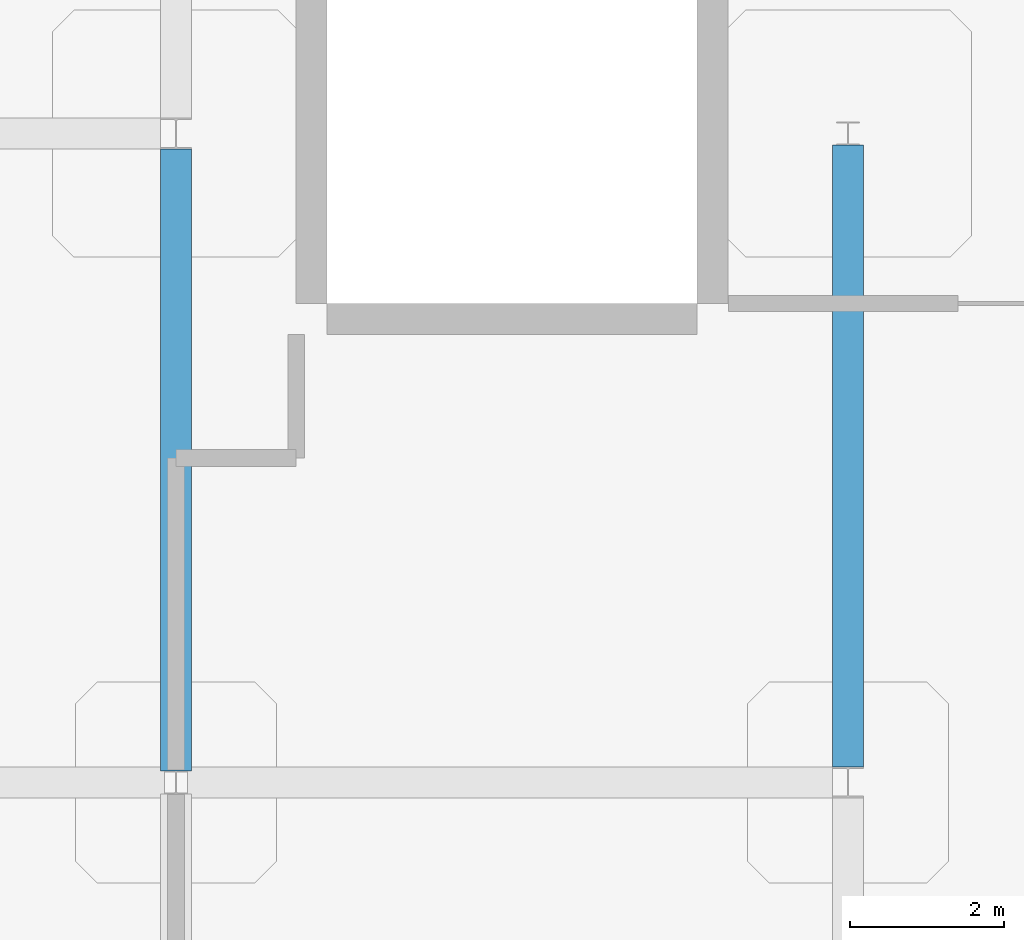
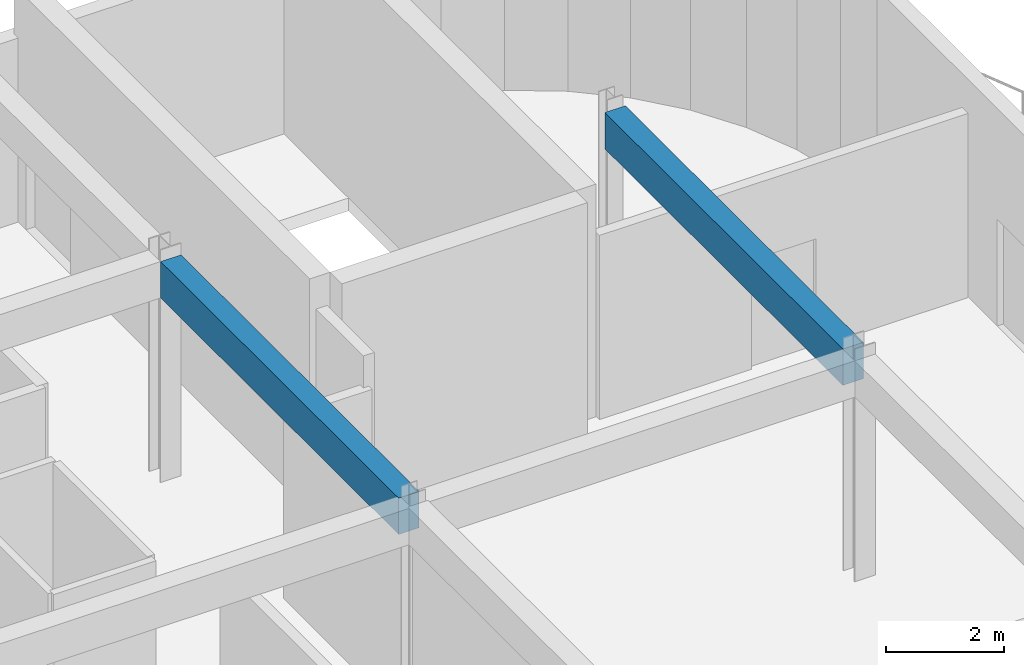
# One storey, part 29 of 41: 2 beams.
"""IFC4 building model written with IfcOpenShell, lengths in metres."""

import ifcopenshell
import ifcopenshell.guid

model = None  # the IFC model being written
_history = None  # IfcOwnerHistory: only IFC2X3 demands one
_inside = {}  # id of a spatial element -> (the spatial element, [elements in it])
_under = {}  # id of a project, library or spatial element -> (it, [spatial elements below it])
_declared = {}  # id of a project -> (the project, [libraries it declares])
_typed = {}  # id of a type object -> (the type object, [elements of that type])
_made_of = {}  # id of a material, layer set ... -> (it, [elements and type objects made of it])


def new_model(schema):
    """Start an empty IFC model of exactly this schema.

    Asked for "IFC4X3", IfcOpenShell would pick the latest addendum, in which some entities
    have other attributes; the version numbers below select the first issue.
    IFC2X3 requires an IfcOwnerHistory on every rooted entity: one is made here for all.
    """
    global model, _history
    if schema == "IFC4X3":
        model = ifcopenshell.file(schema_version=(4, 3, 0, 0))
    else:
        model = ifcopenshell.file(schema=schema)
    _inside.clear()
    _under.clear()
    _declared.clear()
    _typed.clear()
    _made_of.clear()
    _history = None
    if model.schema == "IFC2X3":
        org = make("IfcOrganization", Name="unknown")
        user = make(
            "IfcPersonAndOrganization",
            ThePerson=make("IfcPerson", FamilyName="unknown"),
            TheOrganization=org,
        )
        app = make(
            "IfcApplication",
            ApplicationDeveloper=org,
            Version="unknown",
            ApplicationFullName="unknown",
            ApplicationIdentifier="unknown",
        )
        _history = make(
            "IfcOwnerHistory",
            OwningUser=user,
            OwningApplication=app,
            ChangeAction="ADDED",
            CreationDate=0,
        )
    return model


def make(cls, **values):
    """One entity of the class cls with the attributes given. An attribute that is None is left unset."""
    return model.create_entity(
        cls, **{name: value for name, value in values.items() if value is not None}
    )


def rooted(cls, **values):
    """An entity with a GlobalId (a new one), such as an element, a storey or a relation."""
    return make(cls, GlobalId=ifcopenshell.guid.new(), OwnerHistory=_history, **values)


def si_unit(unit_type, name, prefix=None):
    """IfcSIUnit, for example si_unit("LENGTHUNIT", "METRE", prefix="MILLI")."""
    return make("IfcSIUnit", UnitType=unit_type, Prefix=prefix, Name=name)


def derived_unit(unit_type, elements):
    """IfcDerivedUnit: a product of units, each with its exponent."""
    return make(
        "IfcDerivedUnit",
        Elements=[
            make("IfcDerivedUnitElement", Unit=unit, Exponent=power)
            for unit, power in elements
        ],
        UnitType=unit_type,
    )


def assignment(units):
    """IfcUnitAssignment: the units of a project."""
    return None if units is None else make("IfcUnitAssignment", Units=units)


def point(xyz):
    """IfcCartesianPoint."""
    return None if xyz is None else make("IfcCartesianPoint", Coordinates=xyz)


def direction(xyz):
    """IfcDirection."""
    return None if xyz is None else make("IfcDirection", DirectionRatios=xyz)


def frame(location, z_axis=None, x_axis=None):
    """IfcAxis2Placement3D, a coordinate frame: its origin and axes. An axis left out is left unset."""
    return make(
        "IfcAxis2Placement3D",
        Location=point(location),
        Axis=direction(z_axis),
        RefDirection=direction(x_axis),
    )


def frame_2d(location, x_axis=None):
    """IfcAxis2Placement2D, a coordinate frame in the plane: its origin and x axis."""
    return make(
        "IfcAxis2Placement2D", Location=point(location), RefDirection=direction(x_axis)
    )


def origin():
    """The frame at (0, 0, 0) with its axes left unset."""
    return frame((0.0, 0.0, 0.0))


def origin_2d():
    """The frame at (0, 0) in the plane with its x axis left unset."""
    return frame_2d((0.0, 0.0))


def place(relative_to, where):
    """IfcLocalPlacement: puts the frame where relative to a parent placement (None: the world)."""
    return make(
        "IfcLocalPlacement", PlacementRelTo=relative_to, RelativePlacement=where
    )


def context(
    kind, dimensions, precision=None, world=None, true_north=None, identifier=None
):
    """IfcGeometricRepresentationContext, for example the 3D "Model" context."""
    return make(
        "IfcGeometricRepresentationContext",
        ContextIdentifier=identifier,
        ContextType=kind,
        CoordinateSpaceDimension=dimensions,
        Precision=precision,
        WorldCoordinateSystem=world,
        TrueNorth=true_north,
    )


def subcontext(parent, identifier, kind, view, scale=None):
    """IfcGeometricRepresentationSubContext, for example "Body" below "Model"."""
    return make(
        "IfcGeometricRepresentationSubContext",
        ContextIdentifier=identifier,
        ContextType=kind,
        ParentContext=parent,
        TargetScale=scale,
        TargetView=view,
    )


def project(units=None, contexts=None):
    """IfcProject with its units and contexts."""
    return rooted(
        "IfcProject",
        Name="project",
        RepresentationContexts=contexts,
        UnitsInContext=assignment(units),
    )


def spatial(cls, under=None, at=None, **own):
    """A site, building, storey or space (cls), placed at a placement, below another one or the project."""
    s = rooted(cls, ObjectPlacement=at, **own)
    if under is not None:
        _under.setdefault(under.id(), (under, []))[1].append(s)
    return s


def profile(cls, at=None, kind="AREA", **sizes):
    """A parametric profile (cls). Its sizes go by their IFC names, for example OverallWidth=200.0."""
    return make(cls, ProfileType=kind, Position=at, **sizes)


def rectangle(**sizes):
    """IfcRectangleProfileDef."""
    return profile("IfcRectangleProfileDef", **sizes)


def extrude(swept, where, along, depth):
    """IfcExtrudedAreaSolid: the profile swept, set in the frame where, extruded along a direction by depth."""
    return make(
        "IfcExtrudedAreaSolid",
        SweptArea=swept,
        Position=where,
        ExtrudedDirection=direction(along),
        Depth=depth,
    )


def shape(context_of_items, identifier, shape_type, items):
    """IfcShapeRepresentation: the items that make up one representation, for example the "Body"."""
    return make(
        "IfcShapeRepresentation",
        ContextOfItems=context_of_items,
        RepresentationIdentifier=identifier,
        RepresentationType=shape_type,
        Items=items,
    )


def material(Name=None, Category=None):
    """IfcMaterial."""
    return make("IfcMaterial", Name=Name, Category=Category)


def material_profile(
    of_material, cross_section, Name=None, Category=None, Priority=None
):
    """IfcMaterialProfile: a cross section and its material."""
    return make(
        "IfcMaterialProfile",
        Name=Name,
        Material=of_material,
        Profile=cross_section,
        Priority=Priority,
        Category=Category,
    )


def profile_set(profiles, Name=None, composite=None):
    """IfcMaterialProfileSet."""
    return make(
        "IfcMaterialProfileSet",
        Name=Name,
        MaterialProfiles=profiles,
        CompositeProfile=composite,
    )


def made_of(thing, what):
    """Note that an element or type object is made of a material, layer set ...; save() writes the relation."""
    if what is not None:
        _made_of.setdefault(what.id(), (what, []))[1].append(thing)
    return thing


def type_object(cls, material=None, **own):
    """A type object (cls), such as IfcWallType, which elements share."""
    return made_of(rooted(cls, **own), material)


def element(
    cls,
    number,
    at=None,
    inside=None,
    cuts=None,
    type_object=None,
    material=None,
    context=None,
    identifier="Body",
    shape_type=None,
    held_by="IfcProductDefinitionShape",
    body=None,
    shapes=None,
    **own,
):
    """One element of the class cls, such as IfcWall. Its Tag is "e" and its number.

    at: its placement. inside: the storey or other place that contains it. cuts: it is an
    opening in that element (IfcRelVoidsElement). A single representation is given by context,
    identifier, shape_type and body (its items); several are given by shapes. held_by: the class
    of the entity that holds the representations. save() writes the other relations.
    """
    e = rooted(cls, Tag="e%d" % number, ObjectPlacement=at, **own)
    if body is not None:
        shapes = [shape(context, identifier, shape_type, body)]
    if shapes is not None:
        e.Representation = make(held_by, Representations=shapes)
    if inside is not None:
        _inside.setdefault(inside.id(), (inside, []))[1].append(e)
    if cuts is not None:
        rooted(
            "IfcRelVoidsElement", RelatingBuildingElement=cuts, RelatedOpeningElement=e
        )
    if type_object is not None:
        _typed.setdefault(type_object.id(), (type_object, []))[1].append(e)
    return made_of(e, material)


def aggregate(whole, parts):
    """IfcRelAggregates: a whole, such as a stair, and the parts it consists of."""
    return rooted("IfcRelAggregates", RelatingObject=whole, RelatedObjects=parts)


def save(model, path):
    """Write the relations noted so far, then the file.

    IfcRelAggregates (storeys below a building ...), IfcRelContainedInSpatialStructure (elements
    in a storey), IfcRelDefinesByType, IfcRelAssociatesMaterial and IfcRelDeclares: one each for
    every whole, place, type object, material and project.
    """
    for whole, parts in _under.values():
        aggregate(whole, parts)
    for where, things in _inside.values():
        rooted(
            "IfcRelContainedInSpatialStructure",
            RelatedElements=things,
            RelatingStructure=where,
        )
    for kind, things in _typed.values():
        rooted("IfcRelDefinesByType", RelatedObjects=things, RelatingType=kind)
    for what, things in _made_of.values():
        rooted("IfcRelAssociatesMaterial", RelatedObjects=things, RelatingMaterial=what)
    for by, libraries in _declared.values():
        rooted("IfcRelDeclares", RelatingContext=by, RelatedDefinitions=libraries)
    model.write(path)


model = new_model("IFC4")

# Units and contexts
model_context = context("Model", 3, precision=1e-05, world=origin(), true_north=direction((0.0, 1.0)))
body_context = subcontext(model_context, "Body", "Model", "MODEL_VIEW")
ifc_project = project(units=[si_unit("LENGTHUNIT", "METRE"), si_unit("AREAUNIT", "SQUARE_METRE"), si_unit("VOLUMEUNIT", "CUBIC_METRE"), si_unit("PLANEANGLEUNIT", "RADIAN"), si_unit("MASSUNIT", "GRAM", prefix="KILO"), derived_unit("THERMALTRANSMITTANCEUNIT", [(si_unit("MASSUNIT", "GRAM", prefix="KILO"), 1), (si_unit("TIMEUNIT", "SECOND"), -3), (si_unit("THERMODYNAMICTEMPERATUREUNIT", "KELVIN"), -1)])], contexts=[model_context])

# Site, building, storey
site_placement = place(None, origin())
site = spatial("IfcSite", under=ifc_project, at=site_placement, CompositionType="ELEMENT")
building_placement = place(site_placement, origin())
building = spatial("IfcBuilding", under=site, at=building_placement, Name="Qinzheling Arcade Emporium", CompositionType="ELEMENT")
storey_placement = place(building_placement, frame((0.0, 0.0, 36.300048828125)))
storey = spatial("IfcBuildingStorey", under=building, at=storey_placement, Name="L08", CompositionType="ELEMENT", Elevation=36.300048828125)

# Beams
ifc_material = material(Name="Concrete C40", Category="concrete")
ifc_material_profile = material_profile(ifc_material, rectangle(XDim=0.39990234375, YDim=0.75, at=origin_2d()), Name="RC 400x750", Category="concrete")
ifc_profile_set = profile_set([ifc_material_profile], Name="Concrete C40")
beam_type = type_object("IfcBeamType", Name="RC Interior Tie Beam 400x750 C40", PredefinedType="BEAM", material=ifc_profile_set)
for number, where, z_axis, x_axis, name in (
    (1, (113.10009765625, 90.75, 4.18505859375), (0.0, 1.0, 0.0), (-1.0, 0.0, 0.0), "Beam BM-L08-Y-14-L"),
    (2, (121.800048828125, 90.800048828125, 4.18505859375), (0.0, 1.0, 0.0), (-1.0, 0.0, 0.0), "Beam BM-L08-Y-15-L"),
):
    element("IfcBeam", number, at=place(storey_placement, frame(where, z_axis=z_axis, x_axis=x_axis)), inside=storey, type_object=beam_type, Name=name, PredefinedType="BEAM", context=body_context, shape_type="SweptSolid", body=[
        extrude(rectangle(XDim=0.39990234375, YDim=0.75, at=origin_2d()), origin(), (0.0, 0.0, 1.0), 8.050048828125),
    ])

save(model, "model.ifc")
